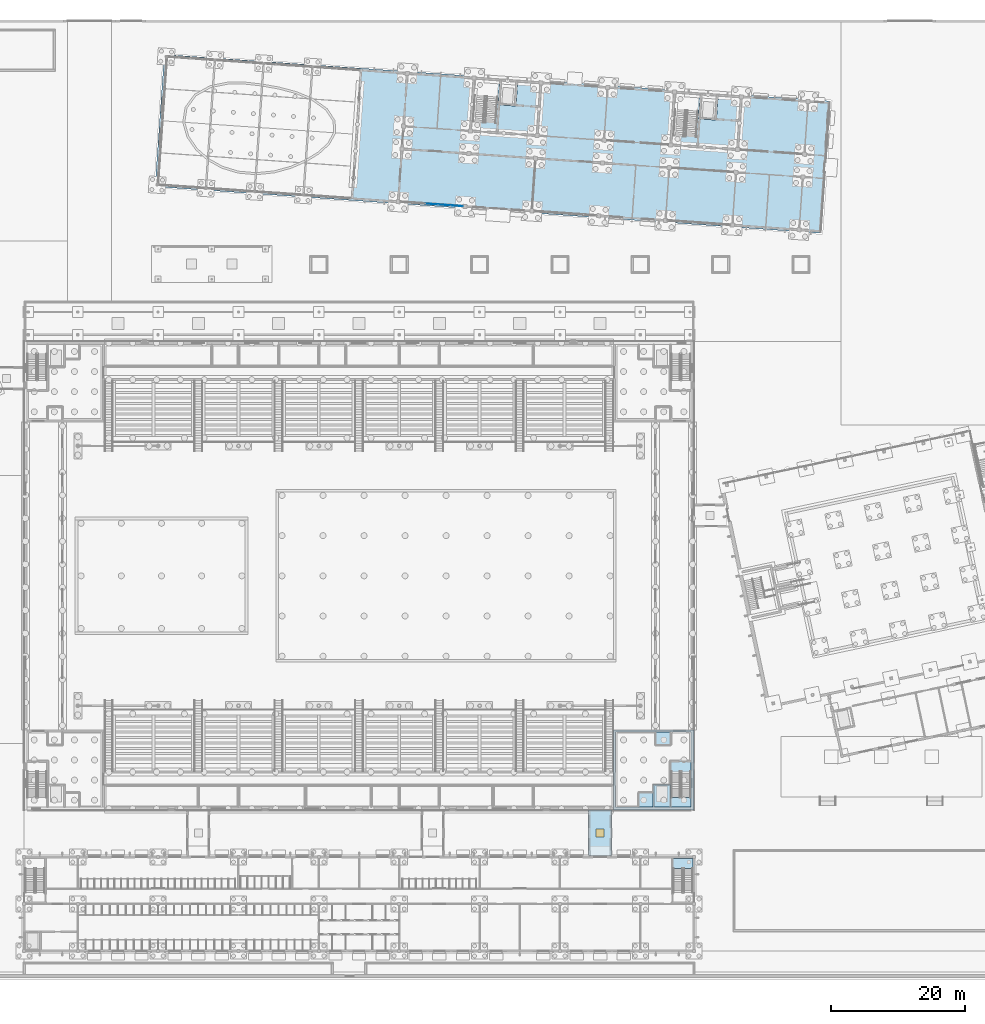
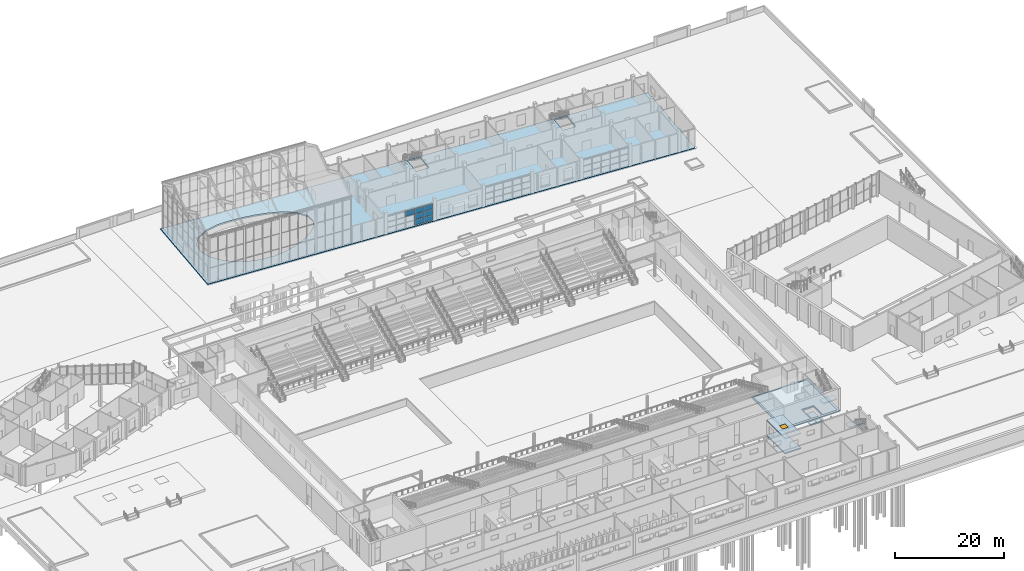
# One storey, part 69 of 157: 8 slabs, 7 plates, 1 window, 1 opening, 3 elements without a shape of their own.
"""IFC4 building model written with IfcOpenShell, lengths in metres."""

from ifc_helpers import new_model, si_unit, direction, frame, origin, origin_2d, place, context, subcontext, project, spatial, polyline, rectangle, outline, extrude, material, layer, layer_set, type_object, element, fill, aggregate, save


model = new_model("IFC4")

# Units and contexts
model_context = context("Model", 3, precision=1e-05, world=origin(), true_north=direction((0.0, 1.0)))
body_context = subcontext(model_context, "Body", "Model", "MODEL_VIEW")
ifc_project = project(units=[si_unit("LENGTHUNIT", "METRE"), si_unit("AREAUNIT", "SQUARE_METRE"), si_unit("VOLUMEUNIT", "CUBIC_METRE"), si_unit("PLANEANGLEUNIT", "RADIAN"), si_unit("MASSUNIT", "GRAM", prefix="KILO")], contexts=[model_context])

# Site, building, storey
site_placement = place(None, origin())
site = spatial("IfcSite", under=ifc_project, at=site_placement, CompositionType="ELEMENT")
building_placement = place(site_placement, origin())
building = spatial("IfcBuilding", under=site, at=building_placement, Name="Windward Yard Aquatics Centre", CompositionType="ELEMENT")
storey_placement = place(building_placement, origin())
storey = spatial("IfcBuildingStorey", under=building, at=storey_placement, Name="L00", CompositionType="ELEMENT", Elevation=0.0)

# Stair, slab
ifc_material_1 = material(Name="Concrete C35/45", Category="concrete")
stair_type_1 = type_object("IfcStairType", Name="C Village stair 2 dog-leg stair", PredefinedType="HALF_TURN_STAIR", material=ifc_material_1)
stair_1_placement = place(storey_placement, origin())
stair_1 = element("IfcStair", 1, at=stair_1_placement, inside=storey, type_object=stair_type_1, Name="L00 Village stair 2", PredefinedType="HALF_TURN_STAIR")
ifc_layer_1 = layer(ifc_material_1, 0.199951171875)
ifc_layer_set_1 = layer_set([ifc_layer_1], Name="C Village stair 2 stair landing 200")
slab_type_1 = type_object("IfcSlabType", Name="C Village stair 2 stair landing 200", PredefinedType="LANDING", material=ifc_layer_set_1)
slab_1_placement = place(storey_placement, frame((0.0, 0.0, 2.300048828125)))
slab_1 = element("IfcSlab", 2, at=slab_1_placement, type_object=slab_type_1, Name="C-ST2 landing 1", PredefinedType="LANDING", context=body_context, shape_type="SweptSolid", body=[
    extrude(outline(polyline([(148.89990234375, 17.330078125), (151.85009765625, 17.330078125), (151.85009765625, 18.800048828125), (148.89990234375, 18.800048828125), (148.89990234375, 17.330078125)])), origin(), (0.0, 0.0, 1.0), 0.199951171875),
])
aggregate(stair_1, [slab_1])

# Slab
ifc_layer_2 = layer(ifc_material_1, 0.25)
ifc_layer_set_2 = layer_set([ifc_layer_2], Name="C link ground slab 250")
slab_type_2 = type_object("IfcSlabType", Name="C link ground slab 250", PredefinedType="BASESLAB", material=ifc_layer_set_2)
slab_2_placement = place(storey_placement, frame((0.0, 0.0, -0.25)))
element("IfcSlab", 3, at=slab_2_placement, inside=storey, type_object=slab_type_2, Name="Covered changing village link 3 floor", PredefinedType="BASESLAB", context=body_context, shape_type="SweptSolid", body=[
    extrude(outline(polyline([(136.300048828125, 19.27490234375), (136.300048828125, 26.0), (139.699951171875, 26.0), (139.699951171875, 19.27490234375), (136.300048828125, 19.27490234375)])), origin(), (0.0, 0.0, 1.0), 0.25),
])

# Slab, opening, window
ifc_layer_3 = layer(ifc_material_1, 0.199951171875)
ifc_layer_set_3 = layer_set([ifc_layer_3], Name="C link roof slab 200")
slab_type_3 = type_object("IfcSlabType", Name="C link roof slab 200", PredefinedType="ROOF", material=ifc_layer_set_3)
slab_3_placement = place(storey_placement, frame((0.0, 0.0, 3.199951171875)))
slab_3 = element("IfcSlab", 4, at=slab_3_placement, inside=storey, type_object=slab_type_3, Name="Covered changing village link 3 roof", PredefinedType="ROOF", context=body_context, shape_type="SweptSolid", body=[
    extrude(outline(polyline([(136.300048828125, 19.14990234375), (136.300048828125, 26.0), (139.699951171875, 26.0), (139.699951171875, 19.14990234375), (136.300048828125, 19.14990234375)])), origin(), (0.0, 0.0, 1.0), 0.199951171875),
])
opening_placement = place(slab_3_placement, frame((138.0, 22.574951171875, 0.0)))
opening = element("IfcOpeningElement", 5, at=opening_placement, cuts=slab_3, Name="Opening CSK03", PredefinedType="OPENING", context=body_context, shape_type="SweptSolid", body=[
    extrude(rectangle(XDim=1.199951171875, YDim=1.199951171875, at=origin_2d()), origin(), (0.0, 0.0, 1.0), 0.199951171875),
])
ifc_material_2 = material(Name="Aluminium framed laminated glazing", Category="aluminium")
window_type = type_object("IfcWindowType", Name="C skylight 1200X1200", PartitioningType="SINGLE_PANEL", PredefinedType="SKYLIGHT", material=ifc_material_2)
window_placement = place(opening_placement, frame((0.0, 0.0, 0.14990234375)))
window = element("IfcWindow", 6, at=window_placement, inside=storey, type_object=window_type, Name="Roof light 1 of the covered changing village link 3", OverallHeight=1.199951171875, OverallWidth=1.199951171875, PartitioningType="SINGLE_PANEL", PredefinedType="SKYLIGHT", context=body_context, shape_type="SweptSolid", body=[
    extrude(rectangle(XDim=1.199951171875, YDim=1.199951171875, at=origin_2d()), origin(), (0.0, 0.0, 1.0), 0.050048828125),
])
fill(opening, window)

# Slabs
ifc_layer_4 = layer(ifc_material_1, 0.25)
ifc_layer_set_4 = layer_set([ifc_layer_4], Name="H Core Ground Slab Concrete C35/45 250")
slab_type_4 = type_object("IfcSlabType", Name="H Core Ground Slab Concrete C35/45 250", PredefinedType="BASESLAB", material=ifc_layer_set_4)
slab_4_placement = place(storey_placement, frame((0.0, 0.0, -0.25)))
element("IfcSlab", 7, at=slab_4_placement, inside=storey, type_object=slab_type_4, Name="L00 core floor SE", PredefinedType="BASESLAB", context=body_context, shape_type="SweptSolid", body=[
    extrude(outline(polyline([(140.300048828125, 26.449951171875), (145.89990234375, 26.449951171875), (145.89990234375, 29.85009765625), (148.5, 29.85009765625), (148.5, 26.449951171875), (151.550048828125, 26.449951171875), (151.550048828125, 37.699951171875), (140.300048828125, 37.699951171875), (140.300048828125, 26.449951171875)])), origin(), (0.0, 0.0, 1.0), 0.25),
])
ifc_layer_5 = layer(ifc_material_1, 0.300048828125)
ifc_layer_set_5 = layer_set([ifc_layer_5], Name="H Lift Pit Slab Concrete C35/45 300")
slab_type_5 = type_object("IfcSlabType", Name="H Lift Pit Slab Concrete C35/45 300", PredefinedType="BASESLAB", material=ifc_layer_set_5)
slab_5_placement = place(storey_placement, frame((0.0, 0.0, -1.60009765625)))
element("IfcSlab", 8, at=slab_5_placement, inside=storey, type_object=slab_type_5, Name="Lift pit slab SE", PredefinedType="BASESLAB", context=body_context, shape_type="SweptSolid", body=[
    extrude(outline(polyline([(145.89990234375, 26.449951171875), (148.5, 26.449951171875), (148.5, 29.85009765625), (145.89990234375, 29.85009765625), (145.89990234375, 26.449951171875)])), origin(), (0.0, 0.0, 1.0), 0.300048828125),
])

# Stair, slab
stair_type_2 = type_object("IfcStairType", Name="H Core Stair Concrete C35/45 1400", PredefinedType="HALF_TURN_STAIR", material=ifc_material_1)
stair_2_placement = place(storey_placement, origin())
stair_2 = element("IfcStair", 9, at=stair_2_placement, inside=storey, type_object=stair_type_2, Name="L00 Stair SE", PredefinedType="HALF_TURN_STAIR")
ifc_layer_6 = layer(ifc_material_1, 0.199951171875)
ifc_layer_set_6 = layer_set([ifc_layer_6], Name="H Stair Landing Concrete C35/45 200")
slab_type_6 = type_object("IfcSlabType", Name="H Stair Landing Concrete C35/45 200", PredefinedType="LANDING", material=ifc_layer_set_6)
slab_6_placement = place(storey_placement, frame((0.0, 0.0, 2.300048828125)))
slab_6 = element("IfcSlab", 10, at=slab_6_placement, type_object=slab_type_6, Name="ST2 landing 1", PredefinedType="LANDING", context=body_context, shape_type="SweptSolid", body=[
    extrude(outline(polyline([(148.60009765625, 26.449951171875), (151.550048828125, 26.449951171875), (151.550048828125, 27.8798828125), (148.60009765625, 27.8798828125), (148.60009765625, 26.449951171875)])), origin(), (0.0, 0.0, 1.0), 0.199951171875),
])
aggregate(stair_2, [slab_6])

# Slab
ifc_layer_7 = layer(ifc_material_1, 0.25)
ifc_layer_set_7 = layer_set([ifc_layer_7], Name="H ground slab 250 C35/45")
slab_type_7 = type_object("IfcSlabType", Name="H ground slab 250 C35/45", PredefinedType="BASESLAB", material=ifc_layer_set_7)
slab_7_placement = place(storey_placement, frame((0.0, 0.0, -0.25)))
element("IfcSlab", 11, at=slab_7_placement, inside=storey, type_object=slab_type_7, Name="H.GS.C.SE.1", PredefinedType="BASESLAB", context=body_context, shape_type="SweptSolid", body=[
    extrude(outline(polyline([(140.0, 26.0), (140.0, 38.0), (152.0, 38.0), (152.0, 26.0), (140.0, 26.0)]), holes=[polyline([(140.300048828125, 26.449951171875), (145.89990234375, 26.449951171875), (145.89990234375, 29.85009765625), (148.5, 29.85009765625), (148.5, 26.449951171875), (151.550048828125, 26.449951171875), (151.550048828125, 37.699951171875), (140.300048828125, 37.699951171875), (140.300048828125, 26.449951171875)]), polyline([(146.10009765625, 26.449951171875), (148.39990234375, 26.449951171875), (148.39990234375, 29.64990234375), (146.10009765625, 29.64990234375), (146.10009765625, 26.449951171875)])]), origin(), (0.0, 0.0, 1.0), 0.25),
])

# Curtain wall, plates
ifc_material_3 = material(Name="Aluminium curtain wall system", Category="aluminium")
curtain_wall_type = type_object("IfcCurtainWallType", Name="W curtain wall 1900", PredefinedType="NOTDEFINED", material=ifc_material_3)
curtain_wall_placement = place(storey_placement, origin())
curtain_wall = element("IfcCurtainWall", 12, at=curtain_wall_placement, inside=storey, type_object=curtain_wall_type, Name="Wing south glazing L00 1", PredefinedType="NOTDEFINED")
ifc_material_4 = material(Name="Double glazed unit")
ifc_layer_8 = layer(ifc_material_4, 0.028076171875)
ifc_layer_set_8 = layer_set([ifc_layer_8], Name="W CW panel IGU 28")
plate_type = type_object("IfcPlateType", Name="W CW panel IGU 28", PredefinedType="CURTAIN_PANEL", material=ifc_layer_set_8)
plate_1_placement = place(storey_placement, frame((112.85107421875, 116.516357421875, 2.5673828125), z_axis=(0.0, 0.0, 1.0), x_axis=(0.997564129531, -0.069755340111, 0.0)))
plate_1 = element("IfcPlate", 13, at=plate_1_placement, type_object=plate_type, Name="WCW1 panel 3.3", PredefinedType="CURTAIN_PANEL", context=body_context, shape_type="SweptSolid", body=[
    extrude(rectangle(XDim=1.820068359375, YDim=0.028076171875, at=origin_2d()), origin(), (0.0, 0.0, 1.0), 1.1787109375),
])
plate_2_placement = place(storey_placement, frame((114.7265625, 116.38525390625, 0.06005859375), z_axis=(0.0, 0.0, 1.0), x_axis=(0.997564129531, -0.069755340111, 0.0)))
plate_2 = element("IfcPlate", 14, at=plate_2_placement, type_object=plate_type, Name="WCW1 panel 4.1", PredefinedType="CURTAIN_PANEL", context=body_context, shape_type="SweptSolid", body=[
    extrude(rectangle(XDim=1.820068359375, YDim=0.028076171875, at=origin_2d()), origin(), (0.0, 0.0, 1.0), 1.1787109375),
])
plate_3_placement = place(storey_placement, frame((114.7265625, 116.38525390625, 1.298828125), z_axis=(0.0, 0.0, 1.0), x_axis=(0.997564129531, -0.069755340111, 0.0)))
plate_3 = element("IfcPlate", 15, at=plate_3_placement, type_object=plate_type, Name="WCW1 panel 4.2", PredefinedType="CURTAIN_PANEL", context=body_context, shape_type="SweptSolid", body=[
    extrude(rectangle(XDim=1.820068359375, YDim=0.028076171875, at=origin_2d()), origin(), (0.0, 0.0, 1.0), 1.20849609375),
])
plate_4_placement = place(storey_placement, frame((114.7265625, 116.38525390625, 2.5673828125), z_axis=(0.0, 0.0, 1.0), x_axis=(0.997564129531, -0.069755340111, 0.0)))
plate_4 = element("IfcPlate", 16, at=plate_4_placement, type_object=plate_type, Name="WCW1 panel 4.3", PredefinedType="CURTAIN_PANEL", context=body_context, shape_type="SweptSolid", body=[
    extrude(rectangle(XDim=1.820068359375, YDim=0.028076171875, at=origin_2d()), origin(), (0.0, 0.0, 1.0), 1.1787109375),
])
plate_5_placement = place(storey_placement, frame((116.5869140625, 116.255126953125, 0.06005859375), z_axis=(0.0, 0.0, 1.0), x_axis=(0.997564129531, -0.069755340111, 0.0)))
plate_5 = element("IfcPlate", 17, at=plate_5_placement, type_object=plate_type, Name="WCW1 panel 5.1", PredefinedType="CURTAIN_PANEL", context=body_context, shape_type="SweptSolid", body=[
    extrude(rectangle(XDim=1.7900390625, YDim=0.028076171875, at=origin_2d()), origin(), (0.0, 0.0, 1.0), 1.1787109375),
])
plate_6_placement = place(storey_placement, frame((116.5869140625, 116.255126953125, 1.298828125), z_axis=(0.0, 0.0, 1.0), x_axis=(0.997564129531, -0.069755340111, 0.0)))
plate_6 = element("IfcPlate", 18, at=plate_6_placement, type_object=plate_type, Name="WCW1 panel 5.2", PredefinedType="CURTAIN_PANEL", context=body_context, shape_type="SweptSolid", body=[
    extrude(rectangle(XDim=1.7900390625, YDim=0.028076171875, at=origin_2d()), origin(), (0.0, 0.0, 1.0), 1.20849609375),
])
plate_7_placement = place(storey_placement, frame((116.5869140625, 116.255126953125, 2.5673828125), z_axis=(0.0, 0.0, 1.0), x_axis=(0.997564129531, -0.069755340111, 0.0)))
plate_7 = element("IfcPlate", 19, at=plate_7_placement, type_object=plate_type, Name="WCW1 panel 5.3", PredefinedType="CURTAIN_PANEL", context=body_context, shape_type="SweptSolid", body=[
    extrude(rectangle(XDim=1.7900390625, YDim=0.028076171875, at=origin_2d()), origin(), (0.0, 0.0, 1.0), 1.1787109375),
])
aggregate(curtain_wall, [plate_1, plate_2, plate_3, plate_4, plate_5, plate_6, plate_7])

# Slab
ifc_material_5 = material(Name="Concrete C30/37", Category="concrete")
ifc_layer_9 = layer(ifc_material_5, 0.300048828125)
ifc_layer_set_9 = layer_set([ifc_layer_9], Name="W ground slab 300 Concrete C30/37")
slab_type_8 = type_object("IfcSlabType", Name="W ground slab 300 Concrete C30/37", PredefinedType="BASESLAB", material=ifc_layer_set_9)
slab_8_placement = place(storey_placement, frame((0.0, 0.0, -0.300048828125)))
element("IfcSlab", 20, at=slab_8_placement, inside=storey, type_object=slab_type_8, Name="W.SLAB.L00", PredefinedType="BASESLAB", context=body_context, shape_type="SweptSolid", body=[
    extrude(outline(polyline([(71.531005859375, 119.10498046875), (170.938232421875, 112.15380859375), (172.3193359375, 131.905517578125), (72.912109375, 138.856689453125), (71.531005859375, 119.10498046875)]), holes=[polyline([(75.67626953125, 128.6982421875), (76.020751953125, 130.9716796875), (77.460693359375, 132.916015625), (79.7431640625, 134.18896484375), (82.404052734375, 134.7255859375), (85.049072265625, 134.719970703125), (87.562255859375, 134.43310546875), (90.05810546875, 133.98583984375), (92.64208984375, 133.306884765625), (95.168701171875, 132.252197265625), (97.24169921875, 130.77490234375), (98.430908203125, 128.9736328125), (98.49072265625, 127.0927734375), (97.567626953125, 125.4169921875), (96.032470703125, 124.018798828125), (94.119873046875, 122.843505859375), (91.88623046875, 121.86669921875), (89.347412109375, 121.171142578125), (86.615478515625, 120.89404296875), (83.9130859375, 121.13818359375), (81.45751953125, 121.890380859375), (79.3544921875, 123.06787109375), (77.61572265625, 124.60791015625), (76.3115234375, 126.50048828125), (75.67626953125, 128.6982421875)]), polyline([(122.783935546875, 131.33447265625), (125.427490234375, 131.149658203125), (125.696044921875, 134.990234375), (123.052490234375, 135.17529296875), (122.783935546875, 131.33447265625)]), polyline([(152.710693359375, 129.24169921875), (155.3544921875, 129.056884765625), (155.622802734375, 132.897705078125), (152.9794921875, 133.08251953125), (152.710693359375, 129.24169921875)])]), origin(), (0.0, 0.0, 1.0), 0.300048828125),
])

save(model, "model.ifc")
